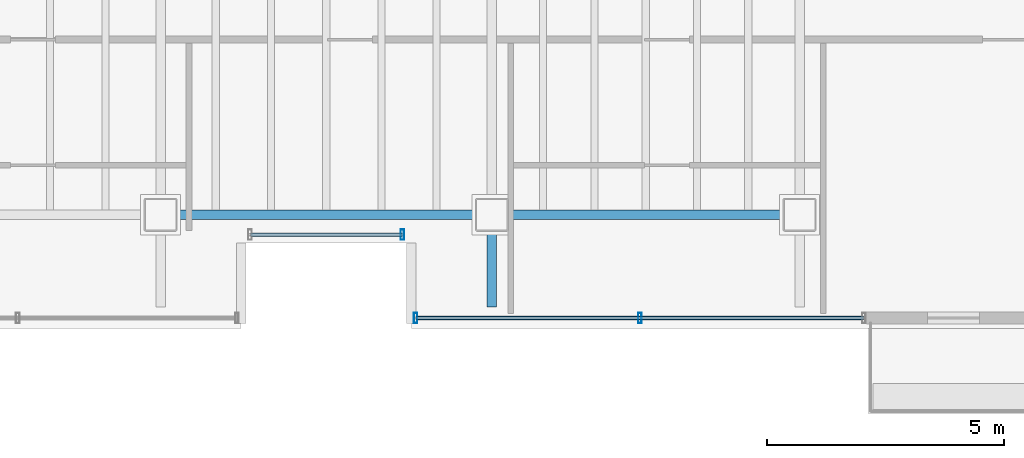
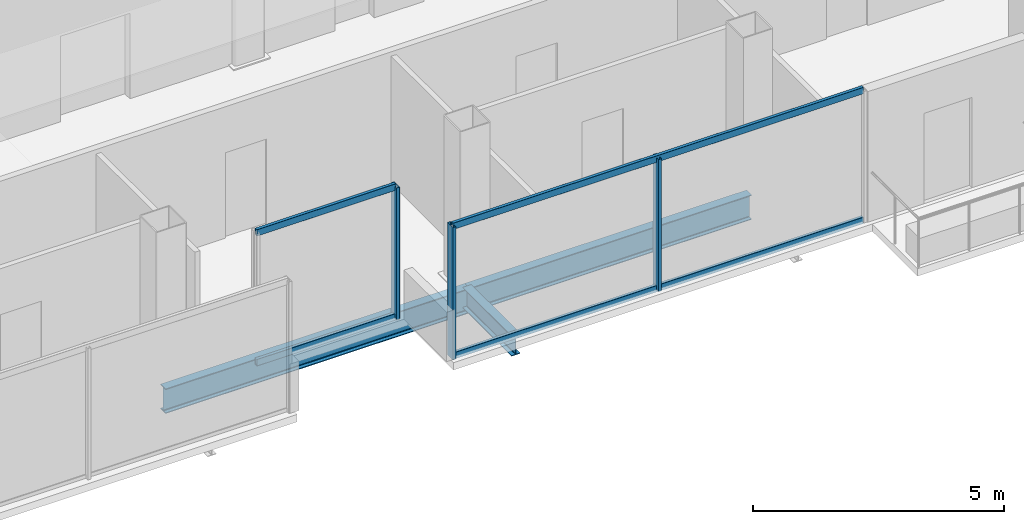
# One storey, part 6 of 17: 7 members, 3 beams, 2 elements without a shape of their own.
"""IFC4 building model written with IfcOpenShell, lengths in metres."""

from ifc_helpers import new_model, si_unit, direction, frame, origin, origin_2d, place, context, subcontext, project, spatial, hollow_rectangle, i_section, extrude, material, material_profile, profile_set, type_object, element, aggregate, save


model = new_model("IFC4")

# Units and contexts
model_context = context("Model", 3, precision=1e-05, world=origin(), true_north=direction((0.0, 1.0)))
body_context = subcontext(model_context, "Body", "Model", "MODEL_VIEW")
ifc_project = project(units=[si_unit("LENGTHUNIT", "METRE"), si_unit("AREAUNIT", "SQUARE_METRE"), si_unit("VOLUMEUNIT", "CUBIC_METRE"), si_unit("PLANEANGLEUNIT", "RADIAN"), si_unit("MASSUNIT", "GRAM", prefix="KILO")], contexts=[model_context])

# Site, building, storey
site_placement = place(None, origin())
site = spatial("IfcSite", under=ifc_project, at=site_placement, CompositionType="ELEMENT")
building_placement = place(site_placement, origin())
building = spatial("IfcBuilding", under=site, at=building_placement, Name="Noeulbin Bourse Tower", CompositionType="ELEMENT")
storey_placement = place(building_placement, frame((0.0, 0.0, 273.5)))
storey = spatial("IfcBuildingStorey", under=building, at=storey_placement, Name="L68", CompositionType="ELEMENT", Elevation=273.5)

# Beams
ifc_material_1 = material(Name="Steel S355", Category="steel")
ifc_material_profile_1 = material_profile(ifc_material_1, i_section(OverallWidth=0.199951171875, OverallDepth=0.5, WebThickness=0.010009765625, FlangeThickness=0.01611328125, FilletRadius=0.02001953125, at=origin_2d()), Name="H-500x200x10x16", Category="LoadBearing")
ifc_profile_set_1 = profile_set([ifc_material_profile_1], Name="Steel S355")
beam_type_1 = type_object("IfcBeamType", Name="BM-GRD-500", PredefinedType="USERDEFINED", material=ifc_profile_set_1)
beam_1_placement = place(storey_placement, frame((31.0, 18.050048828125, -0.429931640625), z_axis=(0.0, 1.0, 0.0), x_axis=(-1.0, 0.0, 0.0)))
element("IfcBeam", 1, at=beam_1_placement, inside=storey, type_object=beam_type_1, Name="Tower Primary Girder NS L68-3.1", ObjectType="GIRDER", PredefinedType="USERDEFINED", context=body_context, shape_type="SweptSolid", body=[
    extrude(i_section(OverallWidth=0.199951171875, OverallDepth=0.5, WebThickness=0.010009765625, FlangeThickness=0.01611328125, FilletRadius=0.02001953125, at=origin_2d()), origin(), (0.0, 0.0, 1.0), 1.949951171875),
])
ifc_material_profile_2 = material_profile(ifc_material_1, i_section(OverallWidth=0.199951171875, OverallDepth=0.60009765625, WebThickness=0.010986328125, FlangeThickness=0.01708984375, FilletRadius=0.02197265625, at=origin_2d()), Name="H-600x200x11x17", Category="LoadBearing")
ifc_profile_set_2 = profile_set([ifc_material_profile_2], Name="Steel S355")
beam_type_2 = type_object("IfcBeamType", Name="BM-GRD-600", PredefinedType="USERDEFINED", material=ifc_profile_set_2)
beam_2_placement = place(storey_placement, frame((24.0, 20.0, -0.47998046875), z_axis=(1.0, 0.0, 0.0), x_axis=(0.0, 1.0, 0.0)))
element("IfcBeam", 2, at=beam_2_placement, inside=storey, type_object=beam_type_2, Name="Tower Primary Girder EW L68-1.2", ObjectType="GIRDER", PredefinedType="USERDEFINED", context=body_context, shape_type="SweptSolid", body=[
    extrude(i_section(OverallWidth=0.199951171875, OverallDepth=0.60009765625, WebThickness=0.010986328125, FlangeThickness=0.01708984375, FilletRadius=0.02197265625, at=origin_2d()), origin(), (0.0, 0.0, 1.0), 7.0),
])
beam_3_placement = place(storey_placement, frame((31.0, 20.0, -0.47998046875), z_axis=(1.0, 0.0, 0.0), x_axis=(0.0, 1.0, 0.0)))
element("IfcBeam", 3, at=beam_3_placement, inside=storey, type_object=beam_type_2, Name="Tower Primary Girder EW L68-1.3", ObjectType="GIRDER", PredefinedType="USERDEFINED", context=body_context, shape_type="SweptSolid", body=[
    extrude(i_section(OverallWidth=0.199951171875, OverallDepth=0.60009765625, WebThickness=0.010986328125, FlangeThickness=0.01708984375, FilletRadius=0.02197265625, at=origin_2d()), origin(), (0.0, 0.0, 1.0), 6.5),
])

# Curtain wall, member
ifc_material_2 = material(Name="High-Selectivity Low-Iron Glazing", Category="glass")
curtain_wall_type = type_object("IfcCurtainWallType", Name="CW-SYS-4", PredefinedType="NOTDEFINED", material=ifc_material_2)
curtain_wall_1_placement = place(storey_placement, origin())
curtain_wall_1 = element("IfcCurtainWall", 4, at=curtain_wall_1_placement, inside=storey, type_object=curtain_wall_type, Name="Unitised Curtain Wall CW-L68-SREC", PredefinedType="NOTDEFINED")
ifc_material_3 = material(Name="Anodised Aluminium 6063-T6", Category="aluminium")
ifc_material_profile_3 = material_profile(ifc_material_3, hollow_rectangle(XDim=0.074951171875, YDim=0.219970703125, WallThickness=0.0048828125, InnerFilletRadius=0.00244140625, OuterFilletRadius=0.0048828125, at=origin_2d()), Name="ALU-MULL-75x220x5", Category="LoadBearing")
ifc_profile_set_3 = profile_set([ifc_material_profile_3], Name="Anodised Aluminium 6063-T6")
member_type_1 = type_object("IfcMemberType", Name="CW-SYS-4-MUL", PredefinedType="MULLION", material=ifc_profile_set_3)
member_1_placement = place(storey_placement, frame((29.110107421875, 19.580078125, -0.02001953125), z_axis=(0.0, 0.0, 1.0), x_axis=(1.0, 0.0, 0.0)))
member_1 = element("IfcMember", 5, at=member_1_placement, type_object=member_type_1, Name="Curtain Wall Mullion CW-L68-SREC-M01", PredefinedType="MULLION", context=body_context, shape_type="SweptSolid", body=[
    extrude(hollow_rectangle(XDim=0.074951171875, YDim=0.219970703125, WallThickness=0.0048828125, InnerFilletRadius=0.00244140625, OuterFilletRadius=0.0048828125, at=origin_2d()), origin(), (0.0, 0.0, 1.0), 3.219970703125),
])

# Curtain wall, members
curtain_wall_2_placement = place(storey_placement, origin())
curtain_wall_2 = element("IfcCurtainWall", 6, at=curtain_wall_2_placement, inside=storey, type_object=curtain_wall_type, Name="Unitised Curtain Wall CW-L68-S2", PredefinedType="NOTDEFINED")
member_2_placement = place(storey_placement, frame((29.389892578125, 17.820068359375, -0.02001953125), z_axis=(0.0, 0.0, 1.0), x_axis=(1.0, 0.0, 0.0)))
member_2 = element("IfcMember", 7, at=member_2_placement, type_object=member_type_1, Name="Curtain Wall Mullion CW-L68-S2-M00", PredefinedType="MULLION", context=body_context, shape_type="SweptSolid", body=[
    extrude(hollow_rectangle(XDim=0.074951171875, YDim=0.219970703125, WallThickness=0.0048828125, InnerFilletRadius=0.00244140625, OuterFilletRadius=0.0048828125, at=origin_2d()), origin(), (0.0, 0.0, 1.0), 3.219970703125),
])
member_3_placement = place(storey_placement, frame((34.125, 17.820068359375, -0.02001953125), z_axis=(0.0, 0.0, 1.0), x_axis=(1.0, 0.0, 0.0)))
member_3 = element("IfcMember", 8, at=member_3_placement, type_object=member_type_1, Name="Curtain Wall Mullion CW-L68-S2-M01", PredefinedType="MULLION", context=body_context, shape_type="SweptSolid", body=[
    extrude(hollow_rectangle(XDim=0.074951171875, YDim=0.219970703125, WallThickness=0.0048828125, InnerFilletRadius=0.00244140625, OuterFilletRadius=0.0048828125, at=origin_2d()), origin(), (0.0, 0.0, 1.0), 3.219970703125),
])

# Member
ifc_material_profile_4 = material_profile(ifc_material_3, hollow_rectangle(XDim=0.074951171875, YDim=0.159912109375, WallThickness=0.0048828125, InnerFilletRadius=0.00244140625, OuterFilletRadius=0.0048828125, at=origin_2d()), Name="ALU-TRAN-75x160x5", Category="LoadBearing")
ifc_profile_set_4 = profile_set([ifc_material_profile_4], Name="Anodised Aluminium 6063-T6")
member_type_2 = type_object("IfcMemberType", Name="CW-SYS-4-TRN", PredefinedType="USERDEFINED", material=ifc_profile_set_4)
member_4_placement = place(storey_placement, frame((25.89990234375, 19.580078125, 0.010009765625), z_axis=(1.0, 0.0, 0.0), x_axis=(0.0, 1.0, 0.0)))
member_4 = element("IfcMember", 9, at=member_4_placement, type_object=member_type_2, Name="Curtain Wall Transom CW-L68-SREC-T00", ObjectType="TRANSOM", PredefinedType="USERDEFINED", context=body_context, shape_type="SweptSolid", body=[
    extrude(hollow_rectangle(XDim=0.074951171875, YDim=0.159912109375, WallThickness=0.0048828125, InnerFilletRadius=0.00244140625, OuterFilletRadius=0.0048828125, at=origin_2d()), origin(), (0.0, 0.0, 1.0), 3.2001953125),
])

member_5_placement = place(storey_placement, frame((25.89990234375, 19.580078125, 3.169921875), z_axis=(1.0, 0.0, 0.0), x_axis=(0.0, 1.0, 0.0)))
member_5 = element("IfcMember", 10, at=member_5_placement, type_object=member_type_2, Name="Curtain Wall Transom CW-L68-SREC-T01", ObjectType="TRANSOM", PredefinedType="USERDEFINED", context=body_context, shape_type="SweptSolid", body=[
    extrude(hollow_rectangle(XDim=0.074951171875, YDim=0.159912109375, WallThickness=0.0048828125, InnerFilletRadius=0.00244140625, OuterFilletRadius=0.0048828125, at=origin_2d()), origin(), (0.0, 0.0, 1.0), 3.2001953125),
])

aggregate(curtain_wall_1, [member_1, member_4, member_5])

member_6_placement = place(storey_placement, frame((29.39990234375, 17.820068359375, 0.010009765625), z_axis=(1.0, 0.0, 0.0), x_axis=(0.0, 1.0, 0.0)))
member_6 = element("IfcMember", 11, at=member_6_placement, type_object=member_type_2, Name="Curtain Wall Transom CW-L68-S2-T00", ObjectType="TRANSOM", PredefinedType="USERDEFINED", context=body_context, shape_type="SweptSolid", body=[
    extrude(hollow_rectangle(XDim=0.074951171875, YDim=0.159912109375, WallThickness=0.0048828125, InnerFilletRadius=0.00244140625, OuterFilletRadius=0.0048828125, at=origin_2d()), origin(), (0.0, 0.0, 1.0), 9.4501953125),
])

member_7_placement = place(storey_placement, frame((29.39990234375, 17.820068359375, 3.169921875), z_axis=(1.0, 0.0, 0.0), x_axis=(0.0, 1.0, 0.0)))
member_7 = element("IfcMember", 12, at=member_7_placement, type_object=member_type_2, Name="Curtain Wall Transom CW-L68-S2-T01", ObjectType="TRANSOM", PredefinedType="USERDEFINED", context=body_context, shape_type="SweptSolid", body=[
    extrude(hollow_rectangle(XDim=0.074951171875, YDim=0.159912109375, WallThickness=0.0048828125, InnerFilletRadius=0.00244140625, OuterFilletRadius=0.0048828125, at=origin_2d()), origin(), (0.0, 0.0, 1.0), 9.4501953125),
])

aggregate(curtain_wall_2, [member_2, member_3, member_6, member_7])

save(model, "model.ifc")
